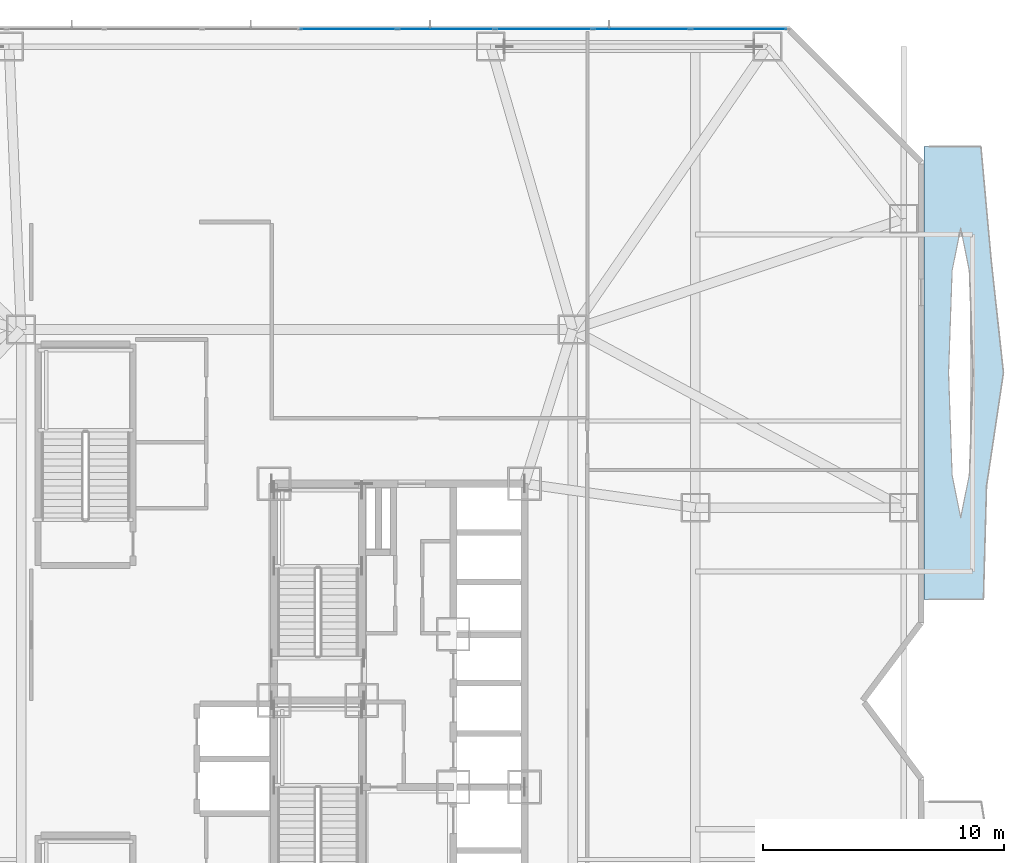
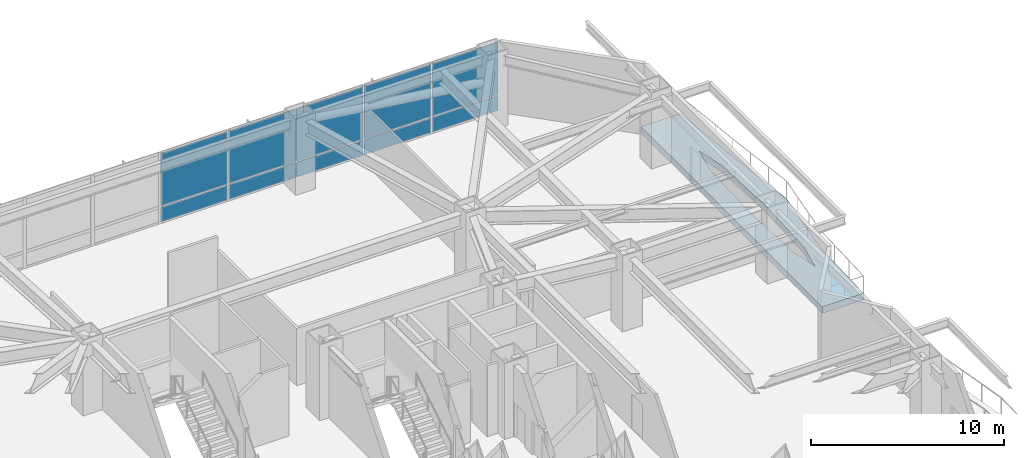
# One storey, part 20 of 33: 10 plates, 1 slab, 1 element without a shape of its own.
"""IFC4 building model written with IfcOpenShell, lengths in metres."""

from ifc_helpers import new_model, si_unit, direction, frame, origin, origin_2d, place, context, subcontext, project, spatial, polyline, rectangle, outline, extrude, material, layer, layer_set, type_object, element, aggregate, save


model = new_model("IFC4")

# Units and contexts
model_context = context("Model", 3, precision=1e-05, world=origin(), true_north=direction((0.0, 1.0)))
body_context = subcontext(model_context, "Body", "Model", "MODEL_VIEW")
ifc_project = project(units=[si_unit("LENGTHUNIT", "METRE"), si_unit("AREAUNIT", "SQUARE_METRE"), si_unit("VOLUMEUNIT", "CUBIC_METRE"), si_unit("PLANEANGLEUNIT", "RADIAN"), si_unit("MASSUNIT", "GRAM", prefix="KILO")], contexts=[model_context])

# Site, building, storey
site_placement = place(None, origin())
site = spatial("IfcSite", under=ifc_project, at=site_placement, CompositionType="ELEMENT")
building_placement = place(site_placement, origin())
building = spatial("IfcBuilding", under=site, at=building_placement, Name="Khamvora Tower", CompositionType="ELEMENT")
storey_placement = place(building_placement, frame((0.0, 0.0, 7.199951171875)))
storey = spatial("IfcBuildingStorey", under=building, at=storey_placement, Name="L01", CompositionType="ELEMENT", Elevation=7.199951171875)

# Curtain wall, plates
ifc_material_1 = material(Name="Anodised Aluminium 6063-T6", Category="aluminium")
curtain_wall_type = type_object("IfcCurtainWallType", Name="CW-SYS-01", PredefinedType="NOTDEFINED", material=ifc_material_1)
curtain_wall_placement = place(storey_placement, origin())
curtain_wall = element("IfcCurtainWall", 1, at=curtain_wall_placement, inside=storey, type_object=curtain_wall_type, Name="L01 stick curtain wall 07.1", PredefinedType="NOTDEFINED")
ifc_material_2 = material(Name="Low-E Laminated Double Glazing", Category="glass")
ifc_layer_1 = layer(ifc_material_2, 0.035888671875)
ifc_layer_set_1 = layer_set([ifc_layer_1], Name="Low-E Laminated Double Glazing")
plate_type = type_object("IfcPlateType", Name="CW-SYS-01-PNL", PredefinedType="CURTAIN_PANEL", material=ifc_layer_set_1)
plate_1_placement = place(storey_placement, frame((32.09521484375, 55.8798828125, 0.074951171875), z_axis=(0.0, 0.0, 1.0), x_axis=(1.0, 0.0, 0.0)))
plate_1 = element("IfcPlate", 2, at=plate_1_placement, type_object=plate_type, Name="CW-01 panel 7.1", PredefinedType="CURTAIN_PANEL", context=body_context, shape_type="SweptSolid", body=[
    extrude(rectangle(XDim=3.981689453125, YDim=0.035888671875, at=origin_2d()), origin(), (0.0, 0.0, 1.0), 0.9375),
])
plate_2_placement = place(storey_placement, frame((32.09521484375, 55.8798828125, 1.087646484375), z_axis=(0.0, 0.0, 1.0), x_axis=(1.0, 0.0, 0.0)))
plate_2 = element("IfcPlate", 3, at=plate_2_placement, type_object=plate_type, Name="CW-01 panel 7.2", PredefinedType="CURTAIN_PANEL", context=body_context, shape_type="SweptSolid", body=[
    extrude(rectangle(XDim=3.981689453125, YDim=0.035888671875, at=origin_2d()), origin(), (0.0, 0.0, 1.0), 3.3173828125),
])
plate_3_placement = place(storey_placement, frame((36.15185546875, 55.8798828125, 0.074951171875), z_axis=(0.0, 0.0, 1.0), x_axis=(1.0, 0.0, 0.0)))
plate_3 = element("IfcPlate", 4, at=plate_3_placement, type_object=plate_type, Name="CW-01 panel 8.1", PredefinedType="CURTAIN_PANEL", context=body_context, shape_type="SweptSolid", body=[
    extrude(rectangle(XDim=3.981689453125, YDim=0.035888671875, at=origin_2d()), origin(), (0.0, 0.0, 1.0), 0.9375),
])
plate_4_placement = place(storey_placement, frame((36.15185546875, 55.8798828125, 1.087646484375), z_axis=(0.0, 0.0, 1.0), x_axis=(1.0, 0.0, 0.0)))
plate_4 = element("IfcPlate", 5, at=plate_4_placement, type_object=plate_type, Name="CW-01 panel 8.2", PredefinedType="CURTAIN_PANEL", context=body_context, shape_type="SweptSolid", body=[
    extrude(rectangle(XDim=3.981689453125, YDim=0.035888671875, at=origin_2d()), origin(), (0.0, 0.0, 1.0), 3.3173828125),
])
plate_5_placement = place(storey_placement, frame((40.20849609375, 55.8798828125, 0.074951171875), z_axis=(0.0, 0.0, 1.0), x_axis=(1.0, 0.0, 0.0)))
plate_5 = element("IfcPlate", 6, at=plate_5_placement, type_object=plate_type, Name="CW-01 panel 9.1", PredefinedType="CURTAIN_PANEL", context=body_context, shape_type="SweptSolid", body=[
    extrude(rectangle(XDim=3.981689453125, YDim=0.035888671875, at=origin_2d()), origin(), (0.0, 0.0, 1.0), 0.9375),
])
plate_6_placement = place(storey_placement, frame((40.20849609375, 55.8798828125, 1.087646484375), z_axis=(0.0, 0.0, 1.0), x_axis=(1.0, 0.0, 0.0)))
plate_6 = element("IfcPlate", 7, at=plate_6_placement, type_object=plate_type, Name="CW-01 panel 9.2", PredefinedType="CURTAIN_PANEL", context=body_context, shape_type="SweptSolid", body=[
    extrude(rectangle(XDim=3.981689453125, YDim=0.035888671875, at=origin_2d()), origin(), (0.0, 0.0, 1.0), 3.3173828125),
])
plate_7_placement = place(storey_placement, frame((44.26513671875, 55.8798828125, 0.074951171875), z_axis=(0.0, 0.0, 1.0), x_axis=(1.0, 0.0, 0.0)))
plate_7 = element("IfcPlate", 8, at=plate_7_placement, type_object=plate_type, Name="CW-01 panel 10.1", PredefinedType="CURTAIN_PANEL", context=body_context, shape_type="SweptSolid", body=[
    extrude(rectangle(XDim=3.981689453125, YDim=0.035888671875, at=origin_2d()), origin(), (0.0, 0.0, 1.0), 0.9375),
])
plate_8_placement = place(storey_placement, frame((44.26513671875, 55.8798828125, 1.087646484375), z_axis=(0.0, 0.0, 1.0), x_axis=(1.0, 0.0, 0.0)))
plate_8 = element("IfcPlate", 9, at=plate_8_placement, type_object=plate_type, Name="CW-01 panel 10.2", PredefinedType="CURTAIN_PANEL", context=body_context, shape_type="SweptSolid", body=[
    extrude(rectangle(XDim=3.981689453125, YDim=0.035888671875, at=origin_2d()), origin(), (0.0, 0.0, 1.0), 3.3173828125),
])
plate_9_placement = place(storey_placement, frame((48.302978515625, 55.8798828125, 0.074951171875), z_axis=(0.0, 0.0, 1.0), x_axis=(1.0, 0.0, 0.0)))
plate_9 = element("IfcPlate", 10, at=plate_9_placement, type_object=plate_type, Name="CW-01 panel 11.1", PredefinedType="CURTAIN_PANEL", context=body_context, shape_type="SweptSolid", body=[
    extrude(rectangle(XDim=3.944091796875, YDim=0.035888671875, at=origin_2d()), origin(), (0.0, 0.0, 1.0), 0.9375),
])
plate_10_placement = place(storey_placement, frame((48.302978515625, 55.8798828125, 1.087646484375), z_axis=(0.0, 0.0, 1.0), x_axis=(1.0, 0.0, 0.0)))
plate_10 = element("IfcPlate", 11, at=plate_10_placement, type_object=plate_type, Name="CW-01 panel 11.2", PredefinedType="CURTAIN_PANEL", context=body_context, shape_type="SweptSolid", body=[
    extrude(rectangle(XDim=3.944091796875, YDim=0.035888671875, at=origin_2d()), origin(), (0.0, 0.0, 1.0), 3.3173828125),
])
aggregate(curtain_wall, [plate_1, plate_2, plate_3, plate_4, plate_5, plate_6, plate_7, plate_8, plate_9, plate_10])

# Slab
ifc_material_3 = material(Name="Concrete C40/50", Category="concrete")
ifc_layer_2 = layer(ifc_material_3, 0.419921875)
ifc_layer_set_2 = layer_set([ifc_layer_2], Name="Concrete C40/50")
slab_type = type_object("IfcSlabType", Name="SLB-GRD-420", PredefinedType="FLOOR", material=ifc_layer_set_2)
slab_placement = place(storey_placement, frame((0.0, 0.0, -0.419921875)))
element("IfcSlab", 12, at=slab_placement, inside=storey, type_object=slab_type, Name="L01 external lens gallery slab EL2", PredefinedType="FLOOR", context=body_context, shape_type="SweptSolid", body=[
    extrude(outline(polyline([(58.4580078125, 32.199951171875), (58.5869140625, 36.89990234375), (59.2900390625, 41.60009765625), (58.779052734375, 46.300048828125), (58.35302734375, 51.0), (56.0, 51.0), (56.0, 32.199951171875), (58.4580078125, 32.199951171875)]), holes=[polyline([(58.01904296875, 41.60009765625), (57.87109375, 45.85400390625), (57.514892578125, 47.615966796875), (57.158935546875, 45.85400390625), (57.010986328125, 41.60009765625), (57.158935546875, 37.345947265625), (57.514892578125, 35.583984375), (57.87109375, 37.345947265625), (58.01904296875, 41.60009765625)])]), origin(), (0.0, 0.0, 1.0), 0.419921875),
])

save(model, "model.ifc")
